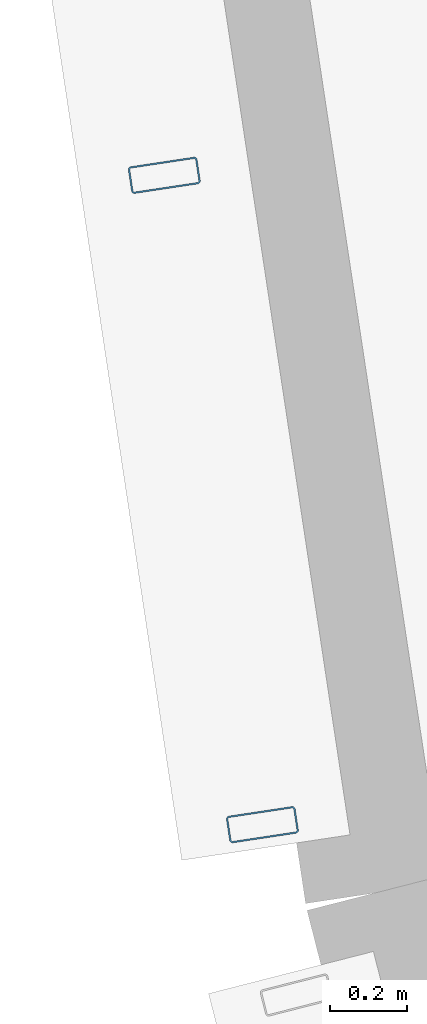
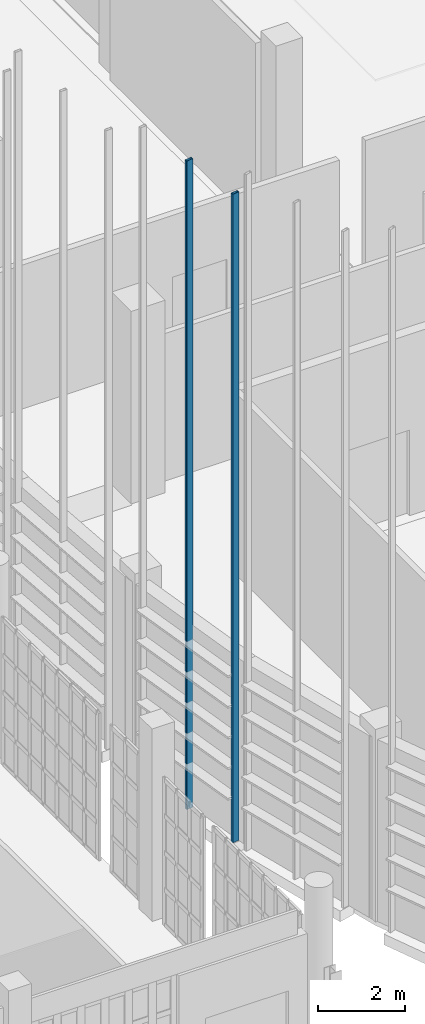
# One storey, part 173 of 372: 2 members.
"""IFC4 building model written with IfcOpenShell, lengths in metres."""

from ifc_helpers import new_model, si_unit, direction, frame, origin, origin_2d, place, context, subcontext, project, spatial, hollow_rectangle, extrude, material, material_profile, profile_set, type_object, element, save


model = new_model("IFC4")

# Units and contexts
model_context = context("Model", 3, precision=1e-05, world=origin(), true_north=direction((0.0, 1.0)))
body_context = subcontext(model_context, "Body", "Model", "MODEL_VIEW")
ifc_project = project(units=[si_unit("LENGTHUNIT", "METRE"), si_unit("AREAUNIT", "SQUARE_METRE"), si_unit("VOLUMEUNIT", "CUBIC_METRE"), si_unit("PLANEANGLEUNIT", "RADIAN"), si_unit("MASSUNIT", "GRAM", prefix="KILO")], contexts=[model_context])

# Site, building, storey
site_placement = place(None, origin())
site = spatial("IfcSite", under=ifc_project, at=site_placement, CompositionType="ELEMENT")
building_placement = place(site_placement, origin())
building = spatial("IfcBuilding", under=site, at=building_placement, Name="Kaelora Sail Theatre", CompositionType="ELEMENT")
storey_placement = place(building_placement, origin())
storey = spatial("IfcBuildingStorey", under=building, at=storey_placement, Name="L00", CompositionType="ELEMENT", Elevation=0.0)

# Members
ifc_material = material(Name="Anodised aluminium 6063-T6", Category="aluminium")
ifc_material_profile = material_profile(ifc_material, hollow_rectangle(XDim=0.070068359375, YDim=0.179931640625, WallThickness=0.00390625, InnerFilletRadius=0.00390625, OuterFilletRadius=0.008056640625, at=origin_2d()), Name="ALU-MULL 70x180x4")
ifc_profile_set = profile_set([ifc_material_profile], Name="Anodised aluminium 6063-T6")
member_type = type_object("IfcMemberType", Name="ARC-MEM-PST-160", PredefinedType="POST", material=ifc_profile_set)
for number, where, z_axis, x_axis, name in (
    (1, (77.3671875, 47.68603515625, 0.0), (0.0, 0.0, 1.0), (-0.149362770624, 0.988782464828, 0.0), "Studio Theatre Sail Drum solar louvre vertical support post C18-1"),
    (2, (77.113525390625, 49.365234375, 0.0), (0.0, 0.0, 1.0), (-0.149362770624, 0.988782464828, 0.0), "Studio Theatre Sail Drum solar louvre vertical support post C18-2"),
):
    element("IfcMember", number, at=place(storey_placement, frame(where, z_axis=z_axis, x_axis=x_axis)), inside=storey, type_object=member_type, Name=name, PredefinedType="POST", context=body_context, shape_type="SweptSolid", body=[
        extrude(hollow_rectangle(XDim=0.070068359375, YDim=0.179931640625, WallThickness=0.00390625, InnerFilletRadius=0.00390625, OuterFilletRadius=0.008056640625, at=origin_2d()), origin(), (0.0, 0.0, 1.0), 18.1962890625),
    ])

save(model, "model.ifc")
